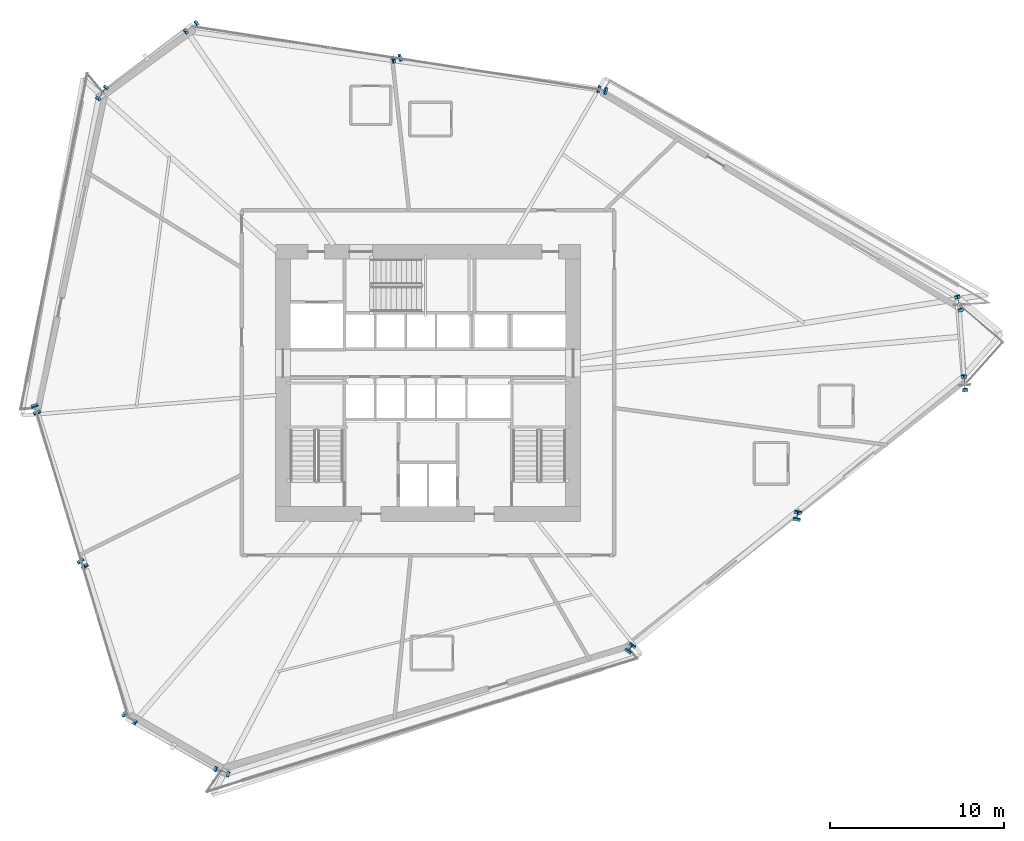
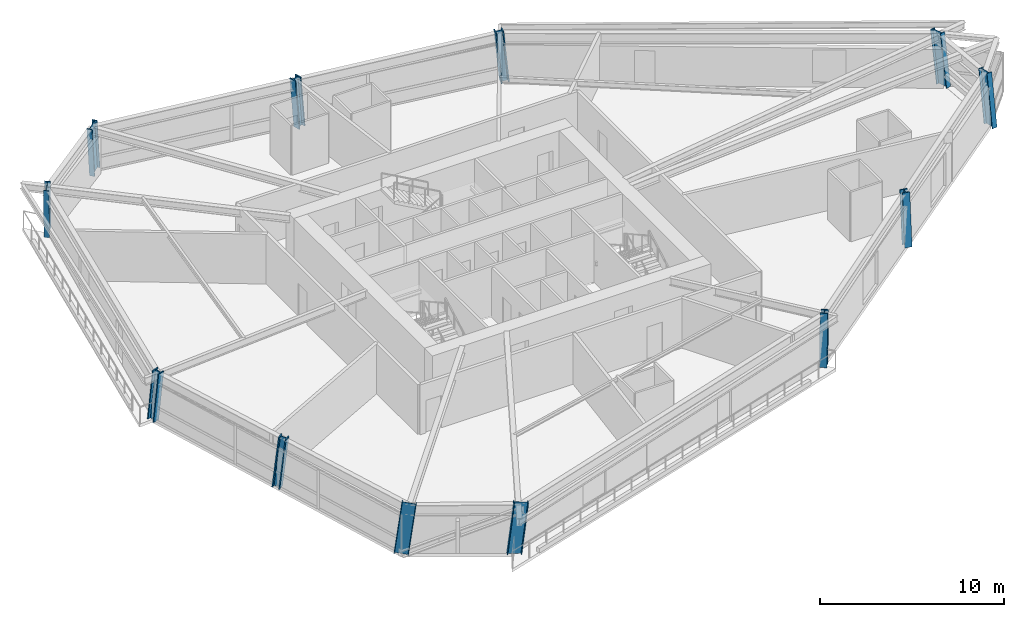
# One storey, part 1 of 22: 12 columns.
"""IFC4 building model written with IfcOpenShell, lengths in metres."""

from ifc_helpers import new_model, si_unit, direction, frame, origin, origin_2d, place, context, subcontext, project, spatial, i_section, extrude, source, transform, mapped, material, material_profile, profile_set, type_object, element, save


model = new_model("IFC4")

# Units and contexts
model_context = context("Model", 3, precision=1e-05, world=origin(), true_north=direction((0.0, 1.0)))
body_context = subcontext(model_context, "Body", "Model", "MODEL_VIEW")
ifc_project = project(units=[si_unit("LENGTHUNIT", "METRE"), si_unit("AREAUNIT", "SQUARE_METRE"), si_unit("VOLUMEUNIT", "CUBIC_METRE"), si_unit("PLANEANGLEUNIT", "RADIAN"), si_unit("MASSUNIT", "GRAM", prefix="KILO")], contexts=[model_context])

# Site, building, storey
site_placement = place(None, origin())
site = spatial("IfcSite", under=ifc_project, at=site_placement, CompositionType="ELEMENT")
building_placement = place(site_placement, origin())
building = spatial("IfcBuilding", under=site, at=building_placement, Name="Olszyna Solenne Hotel", CompositionType="ELEMENT")
storey_placement = place(building_placement, frame((0.0, 0.0, 50.60009765625)))
storey = spatial("IfcBuildingStorey", under=building, at=storey_placement, Name="L12", CompositionType="ELEMENT", Elevation=50.60009765625)

# Columns
ifc_material = material(Name="Steel S460M", Category="steel")
ifc_material_profile_1 = material_profile(ifc_material, i_section(OverallWidth=0.424072265625, OverallDepth=0.47412109375, WebThickness=0.04296875, FlangeThickness=0.068115234375, at=origin_2d()), Name="HD 400x634", Category="load-bearing")
ifc_profile_set_1 = profile_set([ifc_material_profile_1], Name="Steel S460M")
column_type_1 = type_object("IfcColumnType", Name="COL-T1", PredefinedType="COLUMN", material=ifc_profile_set_1)
shared_shape_1 = source(origin(), body_context, "Body", "SweptSolid", [
    extrude(i_section(OverallWidth=0.424072265625, OverallDepth=0.47412109375, WebThickness=0.04296875, FlangeThickness=0.068115234375, at=origin_2d()), origin(), (0.0, 0.0, 1.0), 3.39990234375),
])
column_1_placement = place(storey_placement, frame((49.572021484375, 11.320556640625, 0.0), z_axis=(0.056153057733, 0.074966486283, 0.995603766587), x_axis=(-0.800367834752, 0.599509240207, 0.0)))
element("IfcColumn", 1, at=column_1_placement, inside=storey, type_object=column_type_1, Name="Perimeter framed-tube column COL-T1 C-L12-11", PredefinedType="COLUMN", context=body_context, shape_type="MappedRepresentation", body=[
    mapped(shared_shape_1, transform((0.0, 0.0, 0.0), x_axis=(1.0, 0.0, 0.0), y_axis=(0.0, 1.0, 0.0), z_axis=(0.0, 0.0, 1.0), scale=1.0)),
])
shared_shape_2 = source(origin(), body_context, "Body", "SweptSolid", [
    extrude(i_section(OverallWidth=0.424072265625, OverallDepth=0.47412109375, WebThickness=0.04296875, FlangeThickness=0.068115234375, at=origin_2d()), origin(), (0.0, 0.0, 1.0), 3.3994140625),
])
column_2_placement = place(storey_placement, frame((48.049560546875, 43.382080078125, 0.0), z_axis=(-0.088770197614, 0.022767113789, 0.995791901225), x_axis=(-0.248431915259, -0.96864936044, 0.0)))
element("IfcColumn", 2, at=column_2_placement, inside=storey, type_object=column_type_1, Name="Perimeter framed-tube column COL-T1 C-L12-03", PredefinedType="COLUMN", context=body_context, shape_type="MappedRepresentation", body=[
    mapped(shared_shape_2, transform((0.0, 0.0, 0.0), x_axis=(1.0, 0.0, 0.0), y_axis=(0.0, 1.0, 0.0), z_axis=(0.0, 0.0, 1.0), scale=1.0)),
])
shared_shape_3 = source(origin(), body_context, "Body", "SweptSolid", [
    extrude(i_section(OverallWidth=0.424072265625, OverallDepth=0.47412109375, WebThickness=0.04296875, FlangeThickness=0.068115234375, at=origin_2d()), origin(), (0.0, 0.0, 1.0), 3.400390625),
])
column_3_placement = place(storey_placement, frame((36.2578125, 45.2158203125, 0.0), z_axis=(-0.091042808567, -0.025848115997, 0.995511467492), x_axis=(0.273117540335, -0.961980669848, 0.0)))
element("IfcColumn", 3, at=column_3_placement, inside=storey, type_object=column_type_1, Name="Perimeter framed-tube column COL-T1 C-L12-04", PredefinedType="COLUMN", context=body_context, shape_type="MappedRepresentation", body=[
    mapped(shared_shape_3, transform((0.0, 0.0, 0.0), x_axis=(1.0, 0.0, 0.0), y_axis=(0.0, 1.0, 0.0), z_axis=(0.0, 0.0, 1.0), scale=1.0)),
])
ifc_material_profile_2 = material_profile(ifc_material, i_section(OverallWidth=0.30810546875, OverallDepth=0.81396484375, WebThickness=0.02099609375, FlangeThickness=0.0400390625, at=origin_2d()), Name="HEM 800", Category="load-bearing")
ifc_profile_set_2 = profile_set([ifc_material_profile_2], Name="Steel S460M")
column_type_2 = type_object("IfcColumnType", Name="COL-K1", PredefinedType="COLUMN", material=ifc_profile_set_2)
shared_shape_4 = source(origin(), body_context, "Body", "SweptSolid", [
    extrude(i_section(OverallWidth=0.30810546875, OverallDepth=0.81396484375, WebThickness=0.02099609375, FlangeThickness=0.0400390625, at=origin_2d()), origin(), (0.0, 0.0, 1.0), 3.409423828125),
])
column_4_placement = place(storey_placement, frame((24.46630859375, 47.0498046875, 0.0), z_axis=(-0.093235557277, -0.074330651654, 0.992865592658), x_axis=(0.623375866329, -0.781922329441, 0.0)))
element("IfcColumn", 4, at=column_4_placement, inside=storey, type_object=column_type_2, Name="Perimeter framed-tube column COL-K1 C-L12-05", PredefinedType="COLUMN", context=body_context, shape_type="MappedRepresentation", body=[
    mapped(shared_shape_4, transform((0.0, 0.0, 0.0), x_axis=(1.0, 0.0, 0.0), y_axis=(0.0, 1.0, 0.0), z_axis=(0.0, 0.0, 1.0), scale=1.0)),
])
shared_shape_5 = source(origin(), body_context, "Body", "SweptSolid", [
    extrude(i_section(OverallWidth=0.30810546875, OverallDepth=0.81396484375, WebThickness=0.02099609375, FlangeThickness=0.0400390625, at=origin_2d()), origin(), (0.0, 0.0, 1.0), 3.4052734375),
])
column_5_placement = place(storey_placement, frame((19.329345703125, 43.289794921875, 0.0), z_axis=(-0.063307147293, -0.088543971582, 0.994058433996), x_axis=(0.81346635403, -0.581611976201, 0.0)))
element("IfcColumn", 5, at=column_5_placement, inside=storey, type_object=column_type_2, Name="Perimeter framed-tube column COL-K1 C-L12-06", PredefinedType="COLUMN", context=body_context, shape_type="MappedRepresentation", body=[
    mapped(shared_shape_5, transform((0.0, 0.0, 0.0), x_axis=(1.0, 0.0, 0.0), y_axis=(0.0, 1.0, 0.0), z_axis=(0.0, 0.0, 1.0), scale=1.0)),
])
shared_shape_6 = source(origin(), body_context, "Body", "SweptSolid", [
    extrude(i_section(OverallWidth=0.30810546875, OverallDepth=0.81396484375, WebThickness=0.02099609375, FlangeThickness=0.0400390625, at=origin_2d()), origin(), (0.0, 0.0, 1.0), 3.40625),
])
column_6_placement = place(storey_placement, frame((26.108642578125, 4.3134765625, 0.0), z_axis=(0.102783523705, -0.042647277967, 0.993789090772), x_axis=(0.383242900224, 0.923647594826, 0.0)))
element("IfcColumn", 6, at=column_6_placement, inside=storey, type_object=column_type_2, Name="Perimeter framed-tube column COL-K1 C-L12-10", PredefinedType="COLUMN", context=body_context, shape_type="MappedRepresentation", body=[
    mapped(shared_shape_6, transform((0.0, 0.0, 0.0), x_axis=(1.0, 0.0, 0.0), y_axis=(0.0, 1.0, 0.0), z_axis=(0.0, 0.0, 1.0), scale=1.0)),
])
shared_shape_7 = source(origin(), body_context, "Body", "SweptSolid", [
    extrude(i_section(OverallWidth=0.30810546875, OverallDepth=0.81396484375, WebThickness=0.02099609375, FlangeThickness=0.0400390625, at=origin_2d()), origin(), (0.0, 0.0, 1.0), 3.41748046875),
])
column_7_placement = place(storey_placement, frame((68.495849609375, 31.07080078125, 0.0), z_axis=(-0.0340049427, 0.133233651545, 0.990501114572), x_axis=(-0.9689389037, -0.247300224215, 0.0)))
element("IfcColumn", 7, at=column_7_placement, inside=storey, type_object=column_type_2, Name="Perimeter framed-tube column COL-K1 C-L12-02", PredefinedType="COLUMN", context=body_context, shape_type="MappedRepresentation", body=[
    mapped(shared_shape_7, transform((0.0, 0.0, 0.0), x_axis=(1.0, 0.0, 0.0), y_axis=(0.0, 1.0, 0.0), z_axis=(0.0, 0.0, 1.0), scale=1.0)),
])
shared_shape_8 = source(origin(), body_context, "Body", "SweptSolid", [
    extrude(i_section(OverallWidth=0.424072265625, OverallDepth=0.47412109375, WebThickness=0.04296875, FlangeThickness=0.068115234375, at=origin_2d()), origin(), (0.0, 0.0, 1.0), 3.40673828125),
])
column_8_placement = place(storey_placement, frame((59.18408203125, 18.904052734375, 0.0), z_axis=(0.021141159141, 0.110650676994, 0.993634479611), x_axis=(-0.982232614572, 0.187667500841, 0.0)))
element("IfcColumn", 8, at=column_8_placement, inside=storey, type_object=column_type_1, Name="Perimeter framed-tube column COL-T1 C-L12-12", PredefinedType="COLUMN", context=body_context, shape_type="MappedRepresentation", body=[
    mapped(shared_shape_8, transform((0.0, 0.0, 0.0), x_axis=(1.0, 0.0, 0.0), y_axis=(0.0, 1.0, 0.0), z_axis=(0.0, 0.0, 1.0), scale=1.0)),
])
shared_shape_9 = source(origin(), body_context, "Body", "SweptSolid", [
    extrude(i_section(OverallWidth=0.30810546875, OverallDepth=0.81396484375, WebThickness=0.02099609375, FlangeThickness=0.0400390625, at=origin_2d()), origin(), (0.0, 0.0, 1.0), 3.421875),
])
column_9_placement = place(storey_placement, frame((68.79638671875, 26.487548828125, 0.0), z_axis=(-0.013841272978, 0.14576144688, 0.989222937343), x_axis=(-0.995521714847, -0.09453314375, 0.0)))
element("IfcColumn", 9, at=column_9_placement, inside=storey, type_object=column_type_2, Name="Perimeter framed-tube column COL-K1 C-L12-01", PredefinedType="COLUMN", context=body_context, shape_type="MappedRepresentation", body=[
    mapped(shared_shape_9, transform((0.0, 0.0, 0.0), x_axis=(1.0, 0.0, 0.0), y_axis=(0.0, 1.0, 0.0), z_axis=(0.0, 0.0, 1.0), scale=1.0)),
])
shared_shape_10 = source(origin(), body_context, "Body", "SweptSolid", [
    extrude(i_section(OverallWidth=0.424072265625, OverallDepth=0.47412109375, WebThickness=0.04296875, FlangeThickness=0.068115234375, at=origin_2d()), origin(), (0.0, 0.0, 1.0), 3.40478515625),
])
column_10_placement = place(storey_placement, frame((15.47265625, 25.150634765625, 0.0), z_axis=(0.035134922072, -0.101891274009, 0.994174886794), x_axis=(0.945372981626, 0.325990683319, 0.0)))
element("IfcColumn", 10, at=column_10_placement, inside=storey, type_object=column_type_1, Name="Perimeter framed-tube column COL-T1 C-L12-07", PredefinedType="COLUMN", context=body_context, shape_type="MappedRepresentation", body=[
    mapped(shared_shape_10, transform((0.0, 0.0, 0.0), x_axis=(1.0, 0.0, 0.0), y_axis=(0.0, 1.0, 0.0), z_axis=(0.0, 0.0, 1.0), scale=1.0)),
])
shared_shape_11 = source(origin(), body_context, "Body", "SweptSolid", [
    extrude(i_section(OverallWidth=0.424072265625, OverallDepth=0.47412109375, WebThickness=0.04296875, FlangeThickness=0.068115234375, at=origin_2d()), origin(), (0.0, 0.0, 1.0), 3.40625),
])
column_11_placement = place(storey_placement, frame((18.13818359375, 16.26953125, 0.0), z_axis=(0.068448115891, -0.08815830633, 0.993751965259), x_axis=(0.789870612442, 0.613273524294, 0.0)))
element("IfcColumn", 11, at=column_11_placement, inside=storey, type_object=column_type_1, Name="Perimeter framed-tube column COL-T1 C-L12-08", PredefinedType="COLUMN", context=body_context, shape_type="MappedRepresentation", body=[
    mapped(shared_shape_11, transform((0.0, 0.0, 0.0), x_axis=(1.0, 0.0, 0.0), y_axis=(0.0, 1.0, 0.0), z_axis=(0.0, 0.0, 1.0), scale=1.0)),
])
shared_shape_12 = source(origin(), body_context, "Body", "SweptSolid", [
    extrude(i_section(OverallWidth=0.30810546875, OverallDepth=0.81396484375, WebThickness=0.02099609375, FlangeThickness=0.0400390625, at=origin_2d()), origin(), (0.0, 0.0, 1.0), 3.412109375),
])
column_12_placement = place(storey_placement, frame((20.803466796875, 7.388671875, 0.0), z_axis=(0.10167156873, -0.074411281829, 0.992031175543), x_axis=(0.59060020099, 0.806964313084, 0.0)))
element("IfcColumn", 12, at=column_12_placement, inside=storey, type_object=column_type_2, Name="Perimeter framed-tube column COL-K1 C-L12-09", PredefinedType="COLUMN", context=body_context, shape_type="MappedRepresentation", body=[
    mapped(shared_shape_12, transform((0.0, 0.0, 0.0), x_axis=(1.0, 0.0, 0.0), y_axis=(0.0, 1.0, 0.0), z_axis=(0.0, 0.0, 1.0), scale=1.0)),
])

save(model, "model.ifc")
